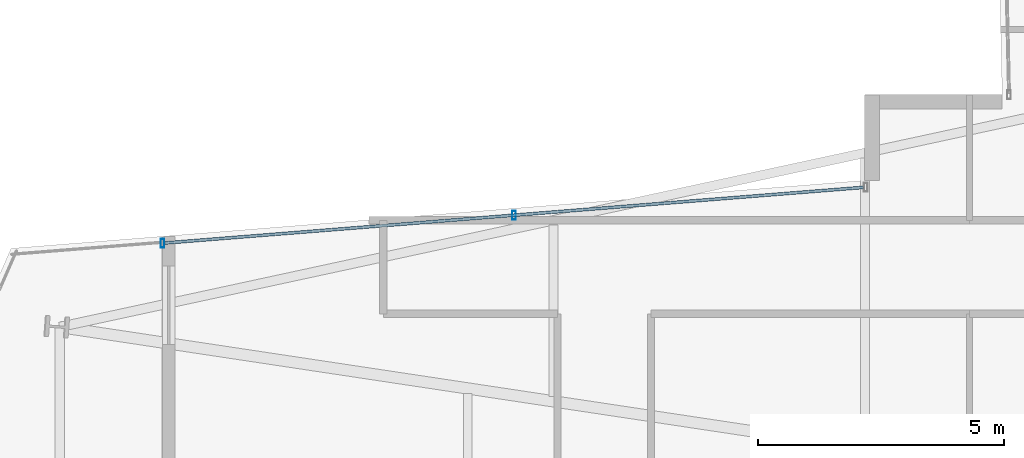
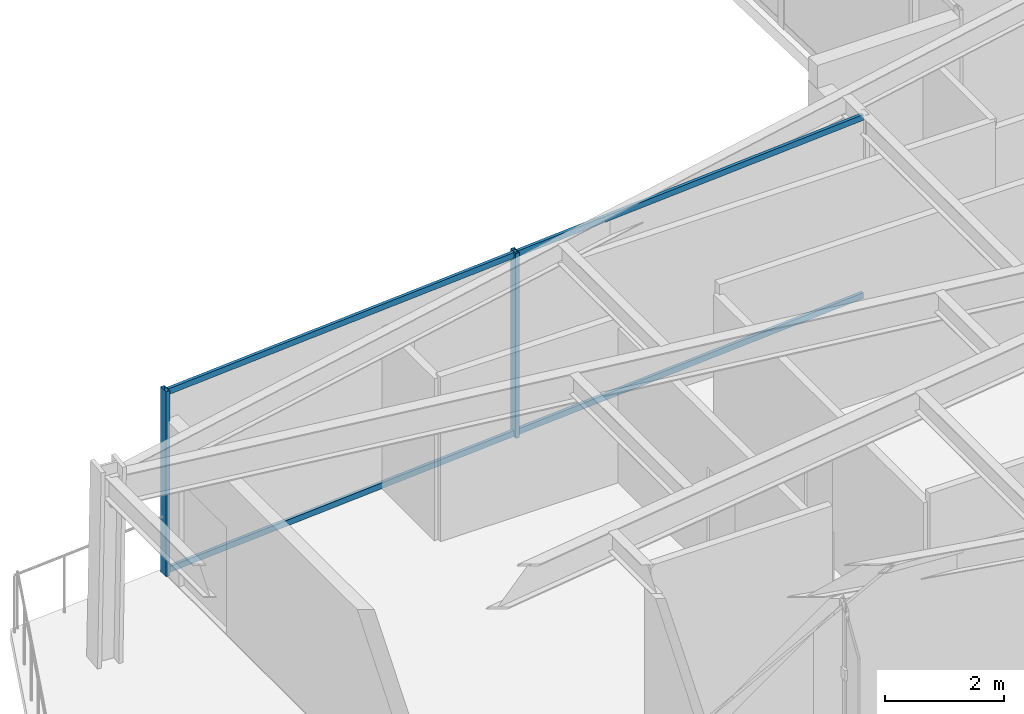
# One storey, part 7 of 27: 4 members, 1 element without a shape of its own.
"""IFC4 building model written with IfcOpenShell, lengths in metres."""

from ifc_helpers import new_model, si_unit, direction, frame, origin, origin_2d, place, context, subcontext, project, spatial, hollow_rectangle, extrude, material, layer, layer_set, material_profile, profile_set, type_object, element, aggregate, save


model = new_model("IFC4")

# Units and contexts
model_context = context("Model", 3, precision=1e-05, world=origin(), true_north=direction((0.0, 1.0)))
body_context = subcontext(model_context, "Body", "Model", "MODEL_VIEW")
ifc_project = project(units=[si_unit("LENGTHUNIT", "METRE"), si_unit("AREAUNIT", "SQUARE_METRE"), si_unit("VOLUMEUNIT", "CUBIC_METRE"), si_unit("PLANEANGLEUNIT", "RADIAN"), si_unit("MASSUNIT", "GRAM", prefix="KILO")], contexts=[model_context])

# Site, building, storey
site_placement = place(None, origin())
site = spatial("IfcSite", under=ifc_project, at=site_placement, CompositionType="ELEMENT")
building_placement = place(site_placement, origin())
building = spatial("IfcBuilding", under=site, at=building_placement, Name="Veymaron Broadcast Tower", CompositionType="ELEMENT")
storey_placement = place(building_placement, frame((0.0, 0.0, 86.39990234375)))
storey = spatial("IfcBuildingStorey", under=building, at=storey_placement, Name="L19", CompositionType="ELEMENT", Elevation=86.39990234375)

# Curtain wall, members
ifc_material_1 = material(Name="Anodised aluminium AA 6063-T6 and laminated low-E dark glass", Category="aluminium")
ifc_layer = layer(ifc_material_1, 0.179931640625)
ifc_layer_set = layer_set([ifc_layer], Name="Anodised aluminium AA 6063-T6 and laminated low-E dark glass")
curtain_wall_type = type_object("IfcCurtainWallType", Name="CW-SYS-02", PredefinedType="NOTDEFINED", material=ifc_layer_set)
curtain_wall_placement = place(storey_placement, origin())
curtain_wall = element("IfcCurtainWall", 1, at=curtain_wall_placement, inside=storey, type_object=curtain_wall_type, Name="L19 dark-glass curtain wall CW-L19-E12-1", PredefinedType="NOTDEFINED")
ifc_material_2 = material(Name="Anodised aluminium AA 6063-T6", Category="aluminium")
ifc_material_profile_1 = material_profile(ifc_material_2, hollow_rectangle(XDim=0.074951171875, YDim=0.179931640625, WallThickness=0.0048828125, at=origin_2d()), Name="AL180X75X5")
ifc_profile_set_1 = profile_set([ifc_material_profile_1], Name="Anodised aluminium AA 6063-T6")
member_type_1 = type_object("IfcMemberType", Name="CW-MUL-02", PredefinedType="MULLION", material=ifc_profile_set_1)
member_1_placement = place(storey_placement, frame((18.619140625, 29.555419921875, 0.0), z_axis=(0.0, 0.0, 1.0), x_axis=(1.0, 0.0, 0.0)))
member_1 = element("IfcMember", 2, at=member_1_placement, type_object=member_type_1, Name="CW-L19-E12-1 mullion 1", PredefinedType="MULLION", context=body_context, shape_type="SweptSolid", body=[
    extrude(hollow_rectangle(XDim=0.074951171875, YDim=0.179931640625, WallThickness=0.0048828125, at=origin_2d()), origin(), (0.0, 0.0, 1.0), 3.81005859375),
])
member_2_placement = place(storey_placement, frame((11.47509765625, 28.986083984375, 0.0), z_axis=(0.0, 0.0, 1.0), x_axis=(1.0, 0.0, 0.0)))
member_2 = element("IfcMember", 3, at=member_2_placement, type_object=member_type_1, Name="CW-L19-E12-1 mullion 2", PredefinedType="MULLION", context=body_context, shape_type="SweptSolid", body=[
    extrude(hollow_rectangle(XDim=0.074951171875, YDim=0.179931640625, WallThickness=0.0048828125, at=origin_2d()), origin(), (0.0, 0.0, 1.0), 3.81005859375),
])
ifc_material_profile_2 = material_profile(ifc_material_2, hollow_rectangle(XDim=0.06005859375, YDim=0.1201171875, WallThickness=0.00390625, at=origin_2d()), Name="AL120X60X4")
ifc_profile_set_2 = profile_set([ifc_material_profile_2], Name="Anodised aluminium AA 6063-T6")
member_type_2 = type_object("IfcMemberType", Name="CW-TRN-02", PredefinedType="USERDEFINED", material=ifc_profile_set_2)
member_3_placement = place(storey_placement, frame((25.71337890625, 30.120361328125, 0.070068359375), z_axis=(-0.996842870086, -0.079399574052, 0.0), x_axis=(0.079399574052, -0.996842870086, 0.0)))
member_3 = element("IfcMember", 4, at=member_3_placement, type_object=member_type_2, Name="CW-L19-E12-1 transom B", ObjectType="TRANSOM", PredefinedType="USERDEFINED", context=body_context, shape_type="SweptSolid", body=[
    extrude(hollow_rectangle(XDim=0.06005859375, YDim=0.1201171875, WallThickness=0.00390625, at=origin_2d()), origin(), (0.0, 0.0, 1.0), 14.2333984375),
])
member_4_placement = place(storey_placement, frame((25.71337890625, 30.120361328125, 3.739990234375), z_axis=(-0.996842870086, -0.079399574052, 0.0), x_axis=(0.079399574052, -0.996842870086, 0.0)))
member_4 = element("IfcMember", 5, at=member_4_placement, type_object=member_type_2, Name="CW-L19-E12-1 transom T", ObjectType="TRANSOM", PredefinedType="USERDEFINED", context=body_context, shape_type="SweptSolid", body=[
    extrude(hollow_rectangle(XDim=0.06005859375, YDim=0.1201171875, WallThickness=0.00390625, at=origin_2d()), origin(), (0.0, 0.0, 1.0), 14.2333984375),
])
aggregate(curtain_wall, [member_1, member_2, member_3, member_4])

save(model, "model.ifc")
